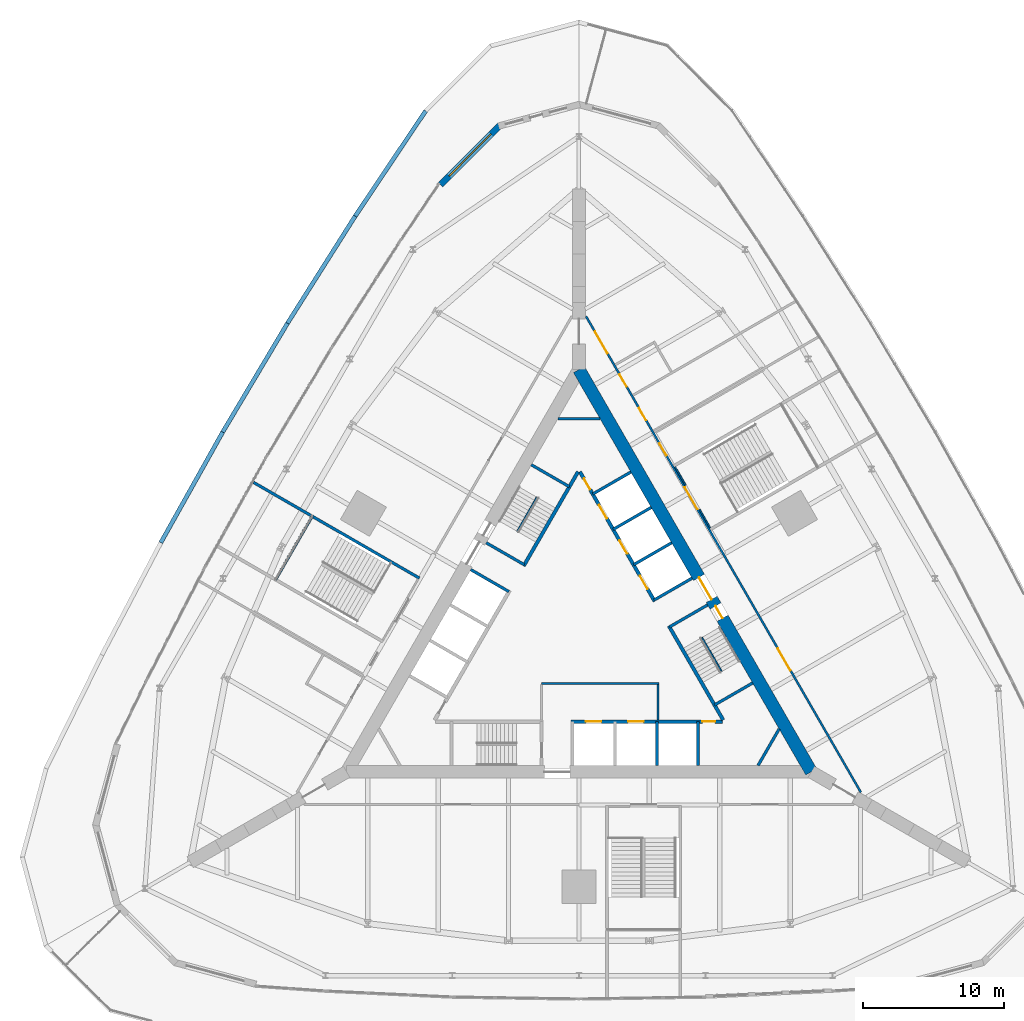
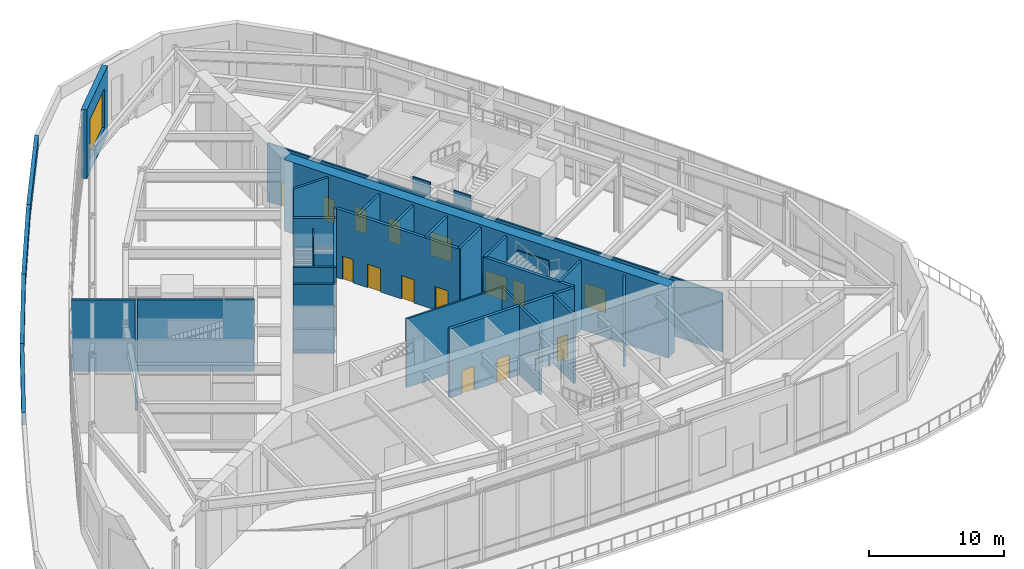
# One storey, part 13 of 19: 32 walls, 15 doors, 1 window, 16 openings.
"""IFC4 building model written with IfcOpenShell, lengths in metres."""

from ifc_helpers import new_model, si_unit, direction, frame, frame_2d, origin, place, context, subcontext, project, spatial, rectangle, extrude, material, layer, layer_set, type_object, element, fill, save


model = new_model("IFC4")

# Units and contexts
model_context = context("Model", 3, precision=1e-05, world=origin(), true_north=direction((0.0, 1.0)))
body_context = subcontext(model_context, "Body", "Model", "MODEL_VIEW")
ifc_project = project(units=[si_unit("LENGTHUNIT", "METRE"), si_unit("AREAUNIT", "SQUARE_METRE"), si_unit("VOLUMEUNIT", "CUBIC_METRE"), si_unit("PLANEANGLEUNIT", "RADIAN"), si_unit("MASSUNIT", "GRAM", prefix="KILO")], contexts=[model_context])

# Site, building, storey
site_placement = place(None, origin())
site = spatial("IfcSite", under=ifc_project, at=site_placement, CompositionType="ELEMENT")
building_placement = place(site_placement, origin())
building = spatial("IfcBuilding", under=site, at=building_placement, Name="Trikona Tower", CompositionType="ELEMENT")
storey_placement = place(building_placement, frame((0.0, 0.0, 11.0)))
storey = spatial("IfcBuildingStorey", under=building, at=storey_placement, Name="L02", CompositionType="ELEMENT", Elevation=11.0)

# Wall, opening, window
ifc_material_1 = material(Name="Brick-faced precast concrete", Category="masonry")
ifc_layer_1 = layer(ifc_material_1, 0.449951171875)
ifc_layer_set_1 = layer_set([ifc_layer_1], Name="Brick-faced corner wall 450")
wall_type_1 = type_object("IfcWallType", Name="Brick-faced corner wall 450", PredefinedType="SOLIDWALL", material=ifc_layer_set_1)
wall_1_placement = place(storey_placement, frame((-5.614501953125, 36.39892578125, 0.0), z_axis=(0.0, 0.0, 1.0), x_axis=(-0.707106781187, -0.707106781187, 0.0)))
wall_1 = element("IfcWall", 1, at=wall_1_placement, inside=storey, type_object=wall_type_1, Name="External wall L02-19", PredefinedType="SOLIDWALL", context=body_context, shape_type="SweptSolid", body=[
    extrude(rectangle(XDim=5.976806640625, YDim=0.449951171875, at=frame_2d((2.98828125, 0.0))), origin(), (0.0, 0.0, 1.0), 6.25),
])
opening_1_placement = place(wall_1_placement, frame((0.888671875, 0.0, 1.199951171875)))
opening_1 = element("IfcOpeningElement", 2, at=opening_1_placement, cuts=wall_1, Name="Opening W4236", PredefinedType="OPENING", context=body_context, shape_type="SweptSolid", body=[
    extrude(rectangle(XDim=4.199951171875, YDim=3.60009765625, at=frame_2d((2.10009765625, 1.800048828125))), frame((0.0, 0.23486328125, 0.0), z_axis=(0.0, -1.0, 0.0), x_axis=(1.0, 0.0, 0.0)), (0.0, 0.0, 1.0), 0.469970703125),
])
ifc_material_2 = material(Name="Aluminium-framed double glazing", Category="aluminium")
window_type = type_object("IfcWindowType", Name="Window 4200x3600", PartitioningType="SINGLE_PANEL", PredefinedType="WINDOW", material=ifc_material_2)
window_placement = place(opening_1_placement, origin())
window = element("IfcWindow", 3, at=window_placement, inside=storey, type_object=window_type, Name="Window L02-BOH", OverallHeight=3.60009765625, OverallWidth=4.199951171875, PartitioningType="SINGLE_PANEL", PredefinedType="WINDOW", context=body_context, shape_type="SweptSolid", body=[
    extrude(rectangle(XDim=4.199951171875, YDim=3.60009765625, at=frame_2d((2.10009765625, 1.800048828125))), frame((0.0, 0.030029296875, 0.0), z_axis=(0.0, -1.0, 0.0), x_axis=(1.0, 0.0, 0.0)), (0.0, 0.0, 1.0), 0.06005859375),
])
fill(opening_1, window)

# Wall, openings, doors
ifc_material_3 = material(Name="Concrete f'c 10000 psi", Category="concrete")
ifc_layer_2 = layer(ifc_material_3, 0.89990234375)
ifc_layer_set_2 = layer_set([ifc_layer_2], Name="Core wall 900")
wall_type_2 = type_object("IfcWallType", Name="Core wall 900", PredefinedType="SHEAR", material=ifc_layer_set_2)
wall_2_placement = place(storey_placement, frame((16.5, -9.5263671875, 0.0), z_axis=(0.0, 0.0, 1.0), x_axis=(-0.499999749417, 0.866025548458, 0.0)))
wall_2 = element("IfcWall", 4, at=wall_2_placement, inside=storey, type_object=wall_type_2, Name="Core wall B", PredefinedType="SHEAR", context=body_context, shape_type="SweptSolid", body=[
    extrude(rectangle(XDim=33.0, YDim=0.89990234375, at=frame_2d((16.5, 0.0))), origin(), (0.0, 0.0, 1.0), 6.5),
])
opening_2_placement = place(wall_2_placement, frame((14.14990234375, 0.0, 0.0)))
opening_2 = element("IfcOpeningElement", 5, at=opening_2_placement, cuts=wall_2, Name="Opening D6", PredefinedType="OPENING", context=body_context, shape_type="SweptSolid", body=[
    extrude(rectangle(XDim=1.800048828125, YDim=2.1298828125, at=frame_2d((0.89990234375, 1.06494140625))), frame((0.0, 0.4599609375, 0.0), z_axis=(0.0, -1.0, 0.0), x_axis=(1.0, 0.0, 0.0)), (0.0, 0.0, 1.0), 0.919921875),
])
opening_3_placement = place(wall_2_placement, frame((12.60009765625, 0.0, 0.0)))
opening_3 = element("IfcOpeningElement", 6, at=opening_3_placement, cuts=wall_2, Name="Opening D5", PredefinedType="OPENING", context=body_context, shape_type="SweptSolid", body=[
    extrude(rectangle(XDim=1.0, YDim=2.1298828125, at=frame_2d((0.5, 1.06494140625))), frame((0.0, 0.4599609375, 0.0), z_axis=(0.0, -1.0, 0.0), x_axis=(1.0, 0.0, 0.0)), (0.0, 0.0, 1.0), 0.919921875),
])
ifc_material_4 = material(Name="Hollow metal door and frame", Category="steel")
door_type_1 = type_object("IfcDoorType", Name="Lobby door pair 1800x2130", OperationType="DOUBLE_DOOR_SINGLE_SWING", PredefinedType="DOOR", material=ifc_material_4)
door_1_placement = place(opening_2_placement, origin())
door_1 = element("IfcDoor", 7, at=door_1_placement, inside=storey, type_object=door_type_1, Name="Lift lobby door B", OperationType="DOUBLE_DOOR_SINGLE_SWING", OverallHeight=2.1298828125, OverallWidth=1.800048828125, PredefinedType="DOOR", context=body_context, shape_type="SweptSolid", body=[
    extrude(rectangle(XDim=1.800048828125, YDim=2.1298828125, at=frame_2d((0.89990234375, 1.06494140625))), frame((0.0, 0.02490234375, 0.0), z_axis=(0.0, -1.0, 0.0), x_axis=(1.0, 0.0, 0.0)), (0.0, 0.0, 1.0), 0.050048828125),
])
fill(opening_2, door_1)
ifc_material_5 = material(Name="Hollow metal door and frame", Category="steel")
door_type_2 = type_object("IfcDoorType", Name="Stair door 1000x2130", OperationType="SINGLE_SWING_LEFT", PredefinedType="DOOR", material=ifc_material_5)
door_2_placement = place(opening_3_placement, origin())
door_2 = element("IfcDoor", 8, at=door_2_placement, inside=storey, type_object=door_type_2, Name="Stair B door", OperationType="SINGLE_SWING_RIGHT", OverallHeight=2.1298828125, OverallWidth=1.0, PredefinedType="DOOR", context=body_context, shape_type="SweptSolid", body=[
    extrude(rectangle(XDim=1.0, YDim=2.1298828125, at=frame_2d((0.5, 1.06494140625))), frame((0.0, 0.02490234375, 0.0), z_axis=(0.0, -1.0, 0.0), x_axis=(1.0, 0.0, 0.0)), (0.0, 0.0, 1.0), 0.050048828125),
])
fill(opening_3, door_2)

ifc_material_6 = material(Name="Metal stud and gypsum board, 1-hour", Category="gypsum")
ifc_layer_3 = layer(ifc_material_6, 0.14990234375)
ifc_layer_set_3 = layer_set([ifc_layer_3], Name="Corridor wall 150")
wall_type_3 = type_object("IfcWallType", Name="Corridor wall 150", PredefinedType="PARTITIONING", material=ifc_layer_set_3)
wall_3_placement = place(storey_placement, frame((20.027099609375, -10.9853515625, 0.0), z_axis=(0.0, 0.0, 1.0), x_axis=(-0.500001677587, 0.866024435227, 0.0)))
wall_3 = element("IfcWall", 9, at=wall_3_placement, inside=storey, type_object=wall_type_3, Name="Corridor wall L02-2", PredefinedType="PARTITIONING", context=body_context, shape_type="SweptSolid", body=[
    extrude(rectangle(XDim=39.053955078125, YDim=0.14990234375, at=frame_2d((19.52685546875, 0.0))), origin(), (0.0, 0.0, 1.0), 5.3076171875),
])
opening_4_placement = place(wall_3_placement, frame((10.013427734375, 0.0, 0.0)))
opening_4 = element("IfcOpeningElement", 10, at=opening_4_placement, cuts=wall_3, Name="Opening D4", PredefinedType="OPENING", context=body_context, shape_type="SweptSolid", body=[
    extrude(rectangle(XDim=1.800048828125, YDim=2.1298828125, at=frame_2d((0.89990234375, 1.06494140625))), frame((0.0, 0.0849609375, 0.0), z_axis=(0.0, -1.0, 0.0), x_axis=(1.0, 0.0, 0.0)), (0.0, 0.0, 1.0), 0.169921875),
])
opening_5_placement = place(wall_3_placement, frame((23.22705078125, 0.0, 0.0)))
opening_5 = element("IfcOpeningElement", 11, at=opening_5_placement, cuts=wall_3, Name="Opening D11", PredefinedType="OPENING", context=body_context, shape_type="SweptSolid", body=[
    extrude(rectangle(XDim=1.800048828125, YDim=2.1298828125, at=frame_2d((0.89990234375, 1.06494140625))), frame((0.0, 0.0849609375, 0.0), z_axis=(0.0, -1.0, 0.0), x_axis=(1.0, 0.0, 0.0)), (0.0, 0.0, 1.0), 0.169921875),
])
opening_6_placement = place(wall_3_placement, frame((27.626953125, 0.0, 0.0)))
opening_6 = element("IfcOpeningElement", 12, at=opening_6_placement, cuts=wall_3, Name="Opening D3", PredefinedType="OPENING", context=body_context, shape_type="SweptSolid", body=[
    extrude(rectangle(XDim=1.0, YDim=2.1298828125, at=frame_2d((0.5, 1.06494140625))), frame((0.0, 0.0849609375, 0.0), z_axis=(0.0, -1.0, 0.0), x_axis=(1.0, 0.0, 0.0)), (0.0, 0.0, 1.0), 0.169921875),
])
opening_7_placement = place(wall_3_placement, frame((30.527099609375, 0.0, 0.0)))
opening_7 = element("IfcOpeningElement", 13, at=opening_7_placement, cuts=wall_3, Name="Opening D3", PredefinedType="OPENING", context=body_context, shape_type="SweptSolid", body=[
    extrude(rectangle(XDim=1.0, YDim=2.1298828125, at=frame_2d((0.5, 1.06494140625))), frame((0.0, 0.0849609375, 0.0), z_axis=(0.0, -1.0, 0.0), x_axis=(1.0, 0.0, 0.0)), (0.0, 0.0, 1.0), 0.169921875),
])
opening_8_placement = place(wall_3_placement, frame((33.277099609375, 0.0, 0.0)))
opening_8 = element("IfcOpeningElement", 14, at=opening_8_placement, cuts=wall_3, Name="Opening D3", PredefinedType="OPENING", context=body_context, shape_type="SweptSolid", body=[
    extrude(rectangle(XDim=1.0, YDim=2.1298828125, at=frame_2d((0.5, 1.06494140625))), frame((0.0, 0.0849609375, 0.0), z_axis=(0.0, -1.0, 0.0), x_axis=(1.0, 0.0, 0.0)), (0.0, 0.0, 1.0), 0.169921875),
])
opening_9_placement = place(wall_3_placement, frame((35.990478515625, 0.0, 0.0)))
opening_9 = element("IfcOpeningElement", 15, at=opening_9_placement, cuts=wall_3, Name="Opening D4", PredefinedType="OPENING", context=body_context, shape_type="SweptSolid", body=[
    extrude(rectangle(XDim=1.800048828125, YDim=2.1298828125, at=frame_2d((0.89990234375, 1.06494140625))), frame((0.0, 0.0849609375, 0.0), z_axis=(0.0, -1.0, 0.0), x_axis=(1.0, 0.0, 0.0)), (0.0, 0.0, 1.0), 0.169921875),
])
ifc_material_7 = material(Name="Steel door frame with solid-core timber leaf", Category="steel")
door_type_3 = type_object("IfcDoorType", Name="Assembly door pair 1800x2130", OperationType="DOUBLE_DOOR_SINGLE_SWING", PredefinedType="DOOR", material=ifc_material_7)
door_3_placement = place(opening_4_placement, origin())
door_3 = element("IfcDoor", 16, at=door_3_placement, inside=storey, type_object=door_type_3, Name="Door Prefunction foyer east", OperationType="DOUBLE_DOOR_SINGLE_SWING", OverallHeight=2.1298828125, OverallWidth=1.800048828125, PredefinedType="DOOR", context=body_context, shape_type="SweptSolid", body=[
    extrude(rectangle(XDim=1.800048828125, YDim=2.1298828125, at=frame_2d((0.89990234375, 1.06494140625))), frame((0.0, 0.02490234375, 0.0), z_axis=(0.0, -1.0, 0.0), x_axis=(1.0, 0.0, 0.0)), (0.0, 0.0, 1.0), 0.050048828125),
])
fill(opening_4, door_3)
door_4_placement = place(opening_9_placement, origin())
door_4 = element("IfcDoor", 17, at=door_4_placement, inside=storey, type_object=door_type_3, Name="Door Banquet kitchen", OperationType="DOUBLE_DOOR_SINGLE_SWING", OverallHeight=2.1298828125, OverallWidth=1.800048828125, PredefinedType="DOOR", context=body_context, shape_type="SweptSolid", body=[
    extrude(rectangle(XDim=1.800048828125, YDim=2.1298828125, at=frame_2d((0.89990234375, 1.06494140625))), frame((0.0, 0.02490234375, 0.0), z_axis=(0.0, -1.0, 0.0), x_axis=(1.0, 0.0, 0.0)), (0.0, 0.0, 1.0), 0.050048828125),
])
fill(opening_9, door_4)
ifc_material_8 = material(Name="Hollow metal door and frame", Category="steel")
door_type_4 = type_object("IfcDoorType", Name="Podium stair door 1800x2130", OperationType="DOUBLE_DOOR_SINGLE_SWING", PredefinedType="DOOR", material=ifc_material_8)
door_5_placement = place(opening_5_placement, origin())
door_5 = element("IfcDoor", 18, at=door_5_placement, inside=storey, type_object=door_type_4, Name="Stair door Podium stair PS2", OperationType="DOUBLE_DOOR_SINGLE_SWING", OverallHeight=2.1298828125, OverallWidth=1.800048828125, PredefinedType="DOOR", context=body_context, shape_type="SweptSolid", body=[
    extrude(rectangle(XDim=1.800048828125, YDim=2.1298828125, at=frame_2d((0.89990234375, 1.06494140625))), frame((0.0, 0.02490234375, 0.0), z_axis=(0.0, -1.0, 0.0), x_axis=(1.0, 0.0, 0.0)), (0.0, 0.0, 1.0), 0.050048828125),
])
fill(opening_5, door_5)
ifc_material_9 = material(Name="Steel door frame with solid-core timber leaf", Category="steel")
door_type_5 = type_object("IfcDoorType", Name="Room door 1000x2130", OperationType="SINGLE_SWING_LEFT", PredefinedType="DOOR", material=ifc_material_9)
door_6_placement = place(opening_6_placement, origin())
door_6 = element("IfcDoor", 19, at=door_6_placement, inside=storey, type_object=door_type_5, Name="Door Men's toilets", OperationType="SINGLE_SWING_LEFT", OverallHeight=2.1298828125, OverallWidth=1.0, PredefinedType="DOOR", context=body_context, shape_type="SweptSolid", body=[
    extrude(rectangle(XDim=1.0, YDim=2.1298828125, at=frame_2d((0.5, 1.06494140625))), frame((0.0, 0.02490234375, 0.0), z_axis=(0.0, -1.0, 0.0), x_axis=(1.0, 0.0, 0.0)), (0.0, 0.0, 1.0), 0.050048828125),
])
fill(opening_6, door_6)
door_7_placement = place(opening_7_placement, origin())
door_7 = element("IfcDoor", 20, at=door_7_placement, inside=storey, type_object=door_type_5, Name="Door Women's toilets", OperationType="SINGLE_SWING_RIGHT", OverallHeight=2.1298828125, OverallWidth=1.0, PredefinedType="DOOR", context=body_context, shape_type="SweptSolid", body=[
    extrude(rectangle(XDim=1.0, YDim=2.1298828125, at=frame_2d((0.5, 1.06494140625))), frame((0.0, 0.02490234375, 0.0), z_axis=(0.0, -1.0, 0.0), x_axis=(1.0, 0.0, 0.0)), (0.0, 0.0, 1.0), 0.050048828125),
])
fill(opening_7, door_7)
door_8_placement = place(opening_8_placement, origin())
door_8 = element("IfcDoor", 21, at=door_8_placement, inside=storey, type_object=door_type_5, Name="Door Accessible WC", OperationType="SINGLE_SWING_LEFT", OverallHeight=2.1298828125, OverallWidth=1.0, PredefinedType="DOOR", context=body_context, shape_type="SweptSolid", body=[
    extrude(rectangle(XDim=1.0, YDim=2.1298828125, at=frame_2d((0.5, 1.06494140625))), frame((0.0, 0.02490234375, 0.0), z_axis=(0.0, -1.0, 0.0), x_axis=(1.0, 0.0, 0.0)), (0.0, 0.0, 1.0), 0.050048828125),
])
fill(opening_8, door_8)

ifc_material_10 = material(Name="Concrete f'c 8000 psi", Category="concrete")
ifc_layer_4 = layer(ifc_material_10, 0.25)
ifc_layer_set_4 = layer_set([ifc_layer_4], Name="Hub wall 250")
wall_type_4 = type_object("IfcWallType", Name="Hub wall 250", PredefinedType="SOLIDWALL", material=ifc_layer_set_4)
wall_4_placement = place(storey_placement, frame((-0.550048828125, -5.951416015625, 0.0), z_axis=(0.0, 0.0, 1.0), x_axis=(1.0, 0.0, 0.0)))
wall_4 = element("IfcWall", 22, at=wall_4_placement, inside=storey, type_object=wall_type_4, Name="Lift lobby wall A2", PredefinedType="SOLIDWALL", context=body_context, shape_type="SweptSolid", body=[
    extrude(rectangle(XDim=10.73291015625, YDim=0.25, at=frame_2d((5.366455078125, 0.0))), origin(), (0.0, 0.0, 1.0), 6.25),
])
opening_10_placement = place(wall_4_placement, frame((9.31396484375, 0.0, 0.0)))
opening_10 = element("IfcOpeningElement", 23, at=opening_10_placement, cuts=wall_4, Name="Opening D14", PredefinedType="OPENING", context=body_context, shape_type="SweptSolid", body=[
    extrude(rectangle(XDim=0.89990234375, YDim=2.1298828125, at=frame_2d((0.449951171875, 1.06494140625))), frame((0.0, 0.135009765625, 0.0), z_axis=(0.0, -1.0, 0.0), x_axis=(1.0, 0.0, 0.0)), (0.0, 0.0, 1.0), 0.27001953125),
])
opening_11_placement = place(wall_4_placement, frame((1.050048828125, 0.0, 0.0)))
opening_11 = element("IfcOpeningElement", 24, at=opening_11_placement, cuts=wall_4, Name="Opening LD", PredefinedType="OPENING", context=body_context, shape_type="SweptSolid", body=[
    extrude(rectangle(XDim=1.10009765625, YDim=2.1298828125, at=frame_2d((0.550048828125, 1.06494140625))), frame((0.0, 0.135009765625, 0.0), z_axis=(0.0, -1.0, 0.0), x_axis=(1.0, 0.0, 0.0)), (0.0, 0.0, 1.0), 0.27001953125),
])
opening_12_placement = place(wall_4_placement, frame((4.050048828125, 0.0, 0.0)))
opening_12 = element("IfcOpeningElement", 25, at=opening_12_placement, cuts=wall_4, Name="Opening LD", PredefinedType="OPENING", context=body_context, shape_type="SweptSolid", body=[
    extrude(rectangle(XDim=1.10009765625, YDim=2.1298828125, at=frame_2d((0.550048828125, 1.06494140625))), frame((0.0, 0.135009765625, 0.0), z_axis=(0.0, -1.0, 0.0), x_axis=(1.0, 0.0, 0.0)), (0.0, 0.0, 1.0), 0.27001953125),
])
ifc_material_11 = material(Name="Stainless steel lift landing door", Category="steel")
door_type_6 = type_object("IfcDoorType", Name="Lift landing door 1100x2130", OperationType="DOUBLE_DOOR_SLIDING", PredefinedType="USERDEFINED", material=ifc_material_11)
door_9_placement = place(opening_11_placement, origin())
door_9 = element("IfcDoor", 26, at=door_9_placement, inside=storey, type_object=door_type_6, Name="Lift landing door FF1", ObjectType="LIFT LANDING DOOR", OperationType="DOUBLE_DOOR_SLIDING", OverallHeight=2.1298828125, OverallWidth=1.10009765625, PredefinedType="USERDEFINED", context=body_context, shape_type="SweptSolid", body=[
    extrude(rectangle(XDim=1.10009765625, YDim=2.1298828125, at=frame_2d((0.550048828125, 1.06494140625))), frame((0.0, 0.02490234375, 0.0), z_axis=(0.0, -1.0, 0.0), x_axis=(1.0, 0.0, 0.0)), (0.0, 0.0, 1.0), 0.050048828125),
])
fill(opening_11, door_9)
door_10_placement = place(opening_12_placement, origin())
door_10 = element("IfcDoor", 27, at=door_10_placement, inside=storey, type_object=door_type_6, Name="Lift landing door FF2", ObjectType="LIFT LANDING DOOR", OperationType="DOUBLE_DOOR_SLIDING", OverallHeight=2.1298828125, OverallWidth=1.10009765625, PredefinedType="USERDEFINED", context=body_context, shape_type="SweptSolid", body=[
    extrude(rectangle(XDim=1.10009765625, YDim=2.1298828125, at=frame_2d((0.550048828125, 1.06494140625))), frame((0.0, 0.02490234375, 0.0), z_axis=(0.0, -1.0, 0.0), x_axis=(1.0, 0.0, 0.0)), (0.0, 0.0, 1.0), 0.050048828125),
])
fill(opening_12, door_10)
ifc_material_12 = material(Name="Hollow metal door and frame", Category="steel")
door_type_7 = type_object("IfcDoorType", Name="Service room door 900x2130", OperationType="SINGLE_SWING_LEFT", PredefinedType="DOOR", material=ifc_material_12)
door_11_placement = place(opening_10_placement, origin())
door_11 = element("IfcDoor", 28, at=door_11_placement, inside=storey, type_object=door_type_7, Name="Door Store STR", OperationType="SINGLE_SWING_RIGHT", OverallHeight=2.1298828125, OverallWidth=0.89990234375, PredefinedType="DOOR", context=body_context, shape_type="SweptSolid", body=[
    extrude(rectangle(XDim=0.89990234375, YDim=2.1298828125, at=frame_2d((0.449951171875, 1.06494140625))), frame((0.0, 0.02490234375, 0.0), z_axis=(0.0, -1.0, 0.0), x_axis=(1.0, 0.0, 0.0)), (0.0, 0.0, 1.0), 0.050048828125),
])
fill(opening_10, door_11)

# Wall
wall_5_placement = place(storey_placement, frame((10.245361328125, -5.843017578125, 0.0), z_axis=(0.0, 0.0, 1.0), x_axis=(-0.499993009313, 0.866029439822, 0.0)))
element("IfcWall", 29, at=wall_5_placement, inside=storey, type_object=wall_type_4, Name="Lift lobby wall B1", PredefinedType="SOLIDWALL", context=body_context, shape_type="SweptSolid", body=[
    extrude(rectangle(XDim=7.73291015625, YDim=0.25, at=frame_2d((3.866455078125, 0.0))), origin(), (0.0, 0.0, 1.0), 6.25),
])

# Wall, openings, doors
wall_6_placement = place(storey_placement, frame((5.37890625, 2.5859375, 0.0), z_axis=(0.0, 0.0, 1.0), x_axis=(-0.500001375892, 0.866024609411, 0.0)))
wall_6 = element("IfcWall", 30, at=wall_6_placement, inside=storey, type_object=wall_type_4, Name="Lift lobby wall B2", PredefinedType="SOLIDWALL", context=body_context, shape_type="SweptSolid", body=[
    extrude(rectangle(XDim=10.6328125, YDim=0.25, at=frame_2d((5.31640625, 0.0))), origin(), (0.0, 0.0, 1.0), 6.25),
])
opening_13_placement = place(wall_6_placement, frame((9.1640625, 0.0, 0.0)))
opening_13 = element("IfcOpeningElement", 31, at=opening_13_placement, cuts=wall_6, Name="Opening D14", PredefinedType="OPENING", context=body_context, shape_type="SweptSolid", body=[
    extrude(rectangle(XDim=0.89990234375, YDim=2.1298828125, at=frame_2d((0.449951171875, 1.06494140625))), frame((0.0, 0.135009765625, 0.0), z_axis=(0.0, -1.0, 0.0), x_axis=(1.0, 0.0, 0.0)), (0.0, 0.0, 1.0), 0.27001953125),
])
opening_14_placement = place(wall_6_placement, frame((1.0, 0.0, 0.0)))
opening_14 = element("IfcOpeningElement", 32, at=opening_14_placement, cuts=wall_6, Name="Opening LD", PredefinedType="OPENING", context=body_context, shape_type="SweptSolid", body=[
    extrude(rectangle(XDim=1.10009765625, YDim=2.1298828125, at=frame_2d((0.550048828125, 1.06494140625))), frame((0.0, 0.135009765625, 0.0), z_axis=(0.0, -1.0, 0.0), x_axis=(1.0, 0.0, 0.0)), (0.0, 0.0, 1.0), 0.27001953125),
])
opening_15_placement = place(wall_6_placement, frame((3.89990234375, 0.0, 0.0)))
opening_15 = element("IfcOpeningElement", 33, at=opening_15_placement, cuts=wall_6, Name="Opening LD", PredefinedType="OPENING", context=body_context, shape_type="SweptSolid", body=[
    extrude(rectangle(XDim=1.10009765625, YDim=2.1298828125, at=frame_2d((0.550048828125, 1.06494140625))), frame((0.0, 0.135009765625, 0.0), z_axis=(0.0, -1.0, 0.0), x_axis=(1.0, 0.0, 0.0)), (0.0, 0.0, 1.0), 0.27001953125),
])
opening_16_placement = place(wall_6_placement, frame((6.800048828125, 0.0, 0.0)))
opening_16 = element("IfcOpeningElement", 34, at=opening_16_placement, cuts=wall_6, Name="Opening LD", PredefinedType="OPENING", context=body_context, shape_type="SweptSolid", body=[
    extrude(rectangle(XDim=1.10009765625, YDim=2.1298828125, at=frame_2d((0.550048828125, 1.06494140625))), frame((0.0, 0.135009765625, 0.0), z_axis=(0.0, -1.0, 0.0), x_axis=(1.0, 0.0, 0.0)), (0.0, 0.0, 1.0), 0.27001953125),
])
door_12_placement = place(opening_14_placement, origin())
door_12 = element("IfcDoor", 35, at=door_12_placement, inside=storey, type_object=door_type_6, Name="Lift landing door L1-1", ObjectType="LIFT LANDING DOOR", OperationType="DOUBLE_DOOR_SLIDING", OverallHeight=2.1298828125, OverallWidth=1.10009765625, PredefinedType="USERDEFINED", context=body_context, shape_type="SweptSolid", body=[
    extrude(rectangle(XDim=1.10009765625, YDim=2.1298828125, at=frame_2d((0.550048828125, 1.06494140625))), frame((0.0, 0.02490234375, 0.0), z_axis=(0.0, -1.0, 0.0), x_axis=(1.0, 0.0, 0.0)), (0.0, 0.0, 1.0), 0.050048828125),
])
fill(opening_14, door_12)
door_13_placement = place(opening_15_placement, origin())
door_13 = element("IfcDoor", 36, at=door_13_placement, inside=storey, type_object=door_type_6, Name="Lift landing door L1-2", ObjectType="LIFT LANDING DOOR", OperationType="DOUBLE_DOOR_SLIDING", OverallHeight=2.1298828125, OverallWidth=1.10009765625, PredefinedType="USERDEFINED", context=body_context, shape_type="SweptSolid", body=[
    extrude(rectangle(XDim=1.10009765625, YDim=2.1298828125, at=frame_2d((0.550048828125, 1.06494140625))), frame((0.0, 0.02490234375, 0.0), z_axis=(0.0, -1.0, 0.0), x_axis=(1.0, 0.0, 0.0)), (0.0, 0.0, 1.0), 0.050048828125),
])
fill(opening_15, door_13)
door_14_placement = place(opening_16_placement, origin())
door_14 = element("IfcDoor", 37, at=door_14_placement, inside=storey, type_object=door_type_6, Name="Lift landing door L1-3", ObjectType="LIFT LANDING DOOR", OperationType="DOUBLE_DOOR_SLIDING", OverallHeight=2.1298828125, OverallWidth=1.10009765625, PredefinedType="USERDEFINED", context=body_context, shape_type="SweptSolid", body=[
    extrude(rectangle(XDim=1.10009765625, YDim=2.1298828125, at=frame_2d((0.550048828125, 1.06494140625))), frame((0.0, 0.02490234375, 0.0), z_axis=(0.0, -1.0, 0.0), x_axis=(1.0, 0.0, 0.0)), (0.0, 0.0, 1.0), 0.050048828125),
])
fill(opening_16, door_14)
door_15_placement = place(opening_13_placement, origin())
door_15 = element("IfcDoor", 38, at=door_15_placement, inside=storey, type_object=door_type_7, Name="Door Cleaner's store CLN", OperationType="SINGLE_SWING_RIGHT", OverallHeight=2.1298828125, OverallWidth=0.89990234375, PredefinedType="DOOR", context=body_context, shape_type="SweptSolid", body=[
    extrude(rectangle(XDim=0.89990234375, YDim=2.1298828125, at=frame_2d((0.449951171875, 1.06494140625))), frame((0.0, 0.02490234375, 0.0), z_axis=(0.0, -1.0, 0.0), x_axis=(1.0, 0.0, 0.0)), (0.0, 0.0, 1.0), 0.050048828125),
])
fill(opening_13, door_15)

# Walls
wall_7_placement = place(storey_placement, frame((-0.0625, 11.794189453125, 0.0), z_axis=(0.0, 0.0, 1.0), x_axis=(-0.500006680225, -0.86602154692, 0.0)))
element("IfcWall", 39, at=wall_7_placement, inside=storey, type_object=wall_type_4, Name="Lift lobby wall C1", PredefinedType="SOLIDWALL", context=body_context, shape_type="SweptSolid", body=[
    extrude(rectangle(XDim=7.73291015625, YDim=0.25, at=frame_2d((3.866455078125, 0.0))), origin(), (0.0, 0.0, 1.0), 6.25),
])
ifc_material_13 = material(Name="Metal stud and gypsum board, 2-hour shaft wall", Category="gypsum")
ifc_layer_5 = layer(ifc_material_13, 0.14990234375)
ifc_layer_set_5 = layer_set([ifc_layer_5], Name="Lobby wall 150")
wall_type_5 = type_object("IfcWallType", Name="Lobby wall 150", PredefinedType="PARTITIONING", material=ifc_layer_set_5)
wall_8_placement = place(storey_placement, frame((-2.64990234375, -3.251220703125, 0.0), z_axis=(0.0, 0.0, 1.0), x_axis=(1.0, 0.0, 0.0)))
element("IfcWall", 40, at=wall_8_placement, inside=storey, type_object=wall_type_5, Name="Fire service lift lobby wall 1", PredefinedType="PARTITIONING", context=body_context, shape_type="SweptSolid", body=[
    extrude(rectangle(XDim=8.349853515625, YDim=0.14990234375, at=frame_2d((4.1748046875, 0.0))), origin(), (0.0, 0.0, 1.0), 6.25),
])
wall_9_placement = place(storey_placement, frame((5.625, -5.826416015625, 0.0), z_axis=(0.0, 0.0, 1.0), x_axis=(0.0, 1.0, 0.0)))
element("IfcWall", 41, at=wall_9_placement, inside=storey, type_object=wall_type_5, Name="Fire service lift lobby wall 3", PredefinedType="PARTITIONING", context=body_context, shape_type="SweptSolid", body=[
    extrude(rectangle(XDim=2.5, YDim=0.14990234375, at=frame_2d((1.25, 0.0))), origin(), (0.0, 0.0, 1.0), 6.25),
])
ifc_material_14 = material(Name="Brick-faced precast concrete", Category="masonry")
ifc_layer_6 = layer(ifc_material_14, 0.300048828125)
ifc_layer_set_6 = layer_set([ifc_layer_6], Name="Parapet wall 300")
wall_type_6 = type_object("IfcWallType", Name="Parapet wall 300", PredefinedType="PARAPET", material=ifc_layer_set_6)
for number, where, z_axis, x_axis, name in (
    (42, (-29.699462890625, 6.759521484375, 0.0), (0.0, 0.0, 1.0), (0.488409994099, 0.872614277711, 0.0), "Green roof parapet L02-1-05"),
    (43, (-25.305419921875, 14.610107421875, 0.0), (0.0, 0.0, 1.0), (0.511499603283, 0.859283513075, 0.0), "Green roof parapet L02-1-06"),
):
    element("IfcWall", number, at=place(storey_placement, frame(where, z_axis=z_axis, x_axis=x_axis)), inside=storey, type_object=wall_type_6, Name=name, PredefinedType="PARAPET", context=body_context, shape_type="SweptSolid", body=[
        extrude(rectangle(XDim=8.99658203125, YDim=0.300048828125, at=frame_2d((4.498291015625, 0.0))), origin(), (0.0, 0.0, 1.0), 1.10009765625),
    ])
wall_10_placement = place(storey_placement, frame((-20.70361328125, 22.3408203125, 0.0), z_axis=(0.0, 0.0, 1.0), x_axis=(0.534228645419, 0.845340022958, 0.0)))
element("IfcWall", 44, at=wall_10_placement, inside=storey, type_object=wall_type_6, Name="Green roof parapet L02-1-07", PredefinedType="PARAPET", context=body_context, shape_type="SweptSolid", body=[
    extrude(rectangle(XDim=9.003173828125, YDim=0.300048828125, at=frame_2d((4.50146484375, 0.0))), origin(), (0.0, 0.0, 1.0), 1.10009765625),
])
wall_11_placement = place(storey_placement, frame((-15.893798828125, 29.95166015625, 0.0), z_axis=(0.0, 0.0, 1.0), x_axis=(0.556488614261, 0.830855235404, 0.0)))
element("IfcWall", 45, at=wall_11_placement, inside=storey, type_object=wall_type_6, Name="Green roof parapet L02-1-08", PredefinedType="PARAPET", context=body_context, shape_type="SweptSolid", body=[
    extrude(rectangle(XDim=9.00341796875, YDim=0.300048828125, at=frame_2d((4.501708984375, 0.0))), origin(), (0.0, 0.0, 1.0), 1.10009765625),
])
ifc_material_15 = material(Name="Concrete f'c 8000 psi", Category="concrete")
ifc_layer_7 = layer(ifc_material_15, 0.199951171875)
ifc_layer_set_7 = layer_set([ifc_layer_7], Name="Shaft wall 200")
wall_type_7 = type_object("IfcWallType", Name="Shaft wall 200", PredefinedType="SOLIDWALL", material=ifc_layer_set_7)
for number, where, z_axis, x_axis, name in (
    (46, (5.550048828125, -5.951416015625, 0.0), (0.0, 0.0, 1.0), (0.0, -1.0, 0.0), "Shaft wall A5"),
    (47, (8.449951171875, -5.951416015625, 0.0), (0.0, 0.0, 1.0), (0.0, -1.0, 0.0), "Shaft wall A6"),
    (48, (5.3291015625, 2.672607421875, 0.0), (0.0, 0.0, 1.0), (0.866022959057, 0.500004234368, 0.0), "Shaft wall B3"),
    (49, (3.87890625, 5.18408203125, 0.0), (0.0, 0.0, 1.0), (0.866022959057, 0.500004234368, 0.0), "Shaft wall B4"),
    (50, (2.428955078125, 7.695556640625, 0.0), (0.0, 0.0, 1.0), (0.866022959057, 0.500004234368, 0.0), "Shaft wall B5"),
    (51, (0.97900390625, 10.20703125, 0.0), (0.0, 0.0, 1.0), (0.866022959057, 0.500004234368, 0.0), "Shaft wall B6"),
    (52, (-4.97900390625, 3.27880859375, 0.0), (0.0, 0.0, 1.0), (-0.866022959057, 0.500004234368, 0.0), "Shaft wall C3"),
):
    element("IfcWall", number, at=place(storey_placement, frame(where, z_axis=z_axis, x_axis=x_axis)), inside=storey, type_object=wall_type_7, Name=name, PredefinedType="SOLIDWALL", context=body_context, shape_type="SweptSolid", body=[
        extrude(rectangle(XDim=3.125, YDim=0.199951171875, at=frame_2d((1.5625, 0.0))), origin(), (0.0, 0.0, 1.0), 6.25),
    ])
wall_12_placement = place(storey_placement, frame((14.219482421875, -6.476318359375, 0.0), z_axis=(0.0, 0.0, 1.0), x_axis=(-0.499952404951, -0.866052881055, 0.0)))
element("IfcWall", 53, at=wall_12_placement, inside=storey, type_object=wall_type_7, Name="Riser wall L02-RS1", PredefinedType="SOLIDWALL", context=body_context, shape_type="SweptSolid", body=[
    extrude(rectangle(XDim=3.002197265625, YDim=0.199951171875, at=frame_2d((1.5009765625, 0.0))), origin(), (0.0, 0.0, 1.0), 6.25),
])
wall_13_placement = place(storey_placement, frame((-1.501220703125, 15.552490234375, 0.0), z_axis=(0.0, 0.0, 1.0), x_axis=(1.0, 0.0, 0.0)))
element("IfcWall", 54, at=wall_13_placement, inside=storey, type_object=wall_type_7, Name="Riser wall L02-RS2", PredefinedType="SOLIDWALL", context=body_context, shape_type="SweptSolid", body=[
    extrude(rectangle(XDim=3.00244140625, YDim=0.199951171875, at=frame_2d((1.501220703125, 0.0))), origin(), (0.0, 0.0, 1.0), 6.25),
])
ifc_material_16 = material(Name="Concrete f'c 8000 psi", Category="concrete")
ifc_layer_8 = layer(ifc_material_16, 0.199951171875)
ifc_layer_set_8 = layer_set([ifc_layer_8], Name="Shaft wall 200 load-bearing")
wall_type_8 = type_object("IfcWallType", Name="Shaft wall 200 load-bearing", PredefinedType="SOLIDWALL", material=ifc_layer_set_8)
for number, where, z_axis, x_axis, name in (
    (55, (9.62890625, -4.775390625, 0.0), (0.0, 0.0, 1.0), (0.866022959057, 0.500004234368, 0.0), "Shaft wall B1"),
    (56, (6.428955078125, 0.767333984375, 0.0), (0.0, 0.0, 1.0), (0.866022959057, 0.500004234368, 0.0), "Shaft wall B2"),
    (57, (-0.678955078125, 10.7265625, 0.0), (0.0, 0.0, 1.0), (-0.866022959057, 0.500004234368, 0.0), "Shaft wall C1"),
    (58, (-3.87890625, 5.18408203125, 0.0), (0.0, 0.0, 1.0), (-0.866022959057, 0.500004234368, 0.0), "Shaft wall C2"),
):
    element("IfcWall", number, at=place(storey_placement, frame(where, z_axis=z_axis, x_axis=x_axis)), inside=storey, type_object=wall_type_8, Name=name, PredefinedType="SOLIDWALL", context=body_context, shape_type="SweptSolid", body=[
        extrude(rectangle(XDim=3.125, YDim=0.199951171875, at=frame_2d((1.5625, 0.0))), origin(), (0.0, 0.0, 1.0), 6.25),
    ])
ifc_material_17 = material(Name="Concrete f'c 6000 psi", Category="concrete")
ifc_layer_9 = layer(ifc_material_17, 0.10009765625)
ifc_layer_set_9 = layer_set([ifc_layer_9], Name="Stair enclosure wall 100")
wall_type_9 = type_object("IfcWallType", Name="Stair enclosure wall 100", PredefinedType="SOLIDWALL", material=ifc_layer_set_9)
wall_14_placement = place(storey_placement, frame((9.32177734375, 7.806884765625, 0.0), z_axis=(0.0, 0.0, 1.0), x_axis=(-0.500060622324, 0.86599040064, 0.0)))
element("IfcWall", 59, at=wall_14_placement, inside=storey, type_object=wall_type_9, Name="Podium stair PS2 end pier 1 L02", PredefinedType="SOLIDWALL", context=body_context, shape_type="SweptSolid", body=[
    extrude(rectangle(XDim=1.499755859375, YDim=0.10009765625, at=frame_2d((0.75, 0.0))), origin(), (0.0, 0.0, 1.0), 6.5),
])
wall_15_placement = place(storey_placement, frame((7.57177734375, 10.837890625, 0.0), z_axis=(0.0, 0.0, 1.0), x_axis=(-0.499990139034, 0.866031096941, 0.0)))
element("IfcWall", 60, at=wall_15_placement, inside=storey, type_object=wall_type_9, Name="Podium stair PS2 end pier 2 L02", PredefinedType="SOLIDWALL", context=body_context, shape_type="SweptSolid", body=[
    extrude(rectangle(XDim=1.5, YDim=0.10009765625, at=frame_2d((0.75, 0.0))), origin(), (0.0, 0.0, 1.0), 6.5),
])
ifc_material_18 = material(Name="Concrete f'c 6000 psi", Category="concrete")
ifc_layer_10 = layer(ifc_material_18, 0.199951171875)
ifc_layer_set_10 = layer_set([ifc_layer_10], Name="Stair enclosure wall 200")
wall_type_10 = type_object("IfcWallType", Name="Stair enclosure wall 200", PredefinedType="SHEAR", material=ifc_layer_set_10)
wall_16_placement = place(storey_placement, frame((-11.32861328125, 4.231201171875, 0.0), z_axis=(0.0, 0.0, 1.0), x_axis=(-0.866029620801, 0.499992695841, 0.0)))
element("IfcWall", 61, at=wall_16_placement, inside=storey, type_object=wall_type_10, Name="Stair enclosure L02 F3 u2", PredefinedType="SHEAR", context=body_context, shape_type="SweptSolid", body=[
    extrude(rectangle(XDim=13.607177734375, YDim=0.199951171875, at=frame_2d((6.8037109375, 0.0))), origin(), (0.0, 0.0, 1.0), 6.5),
])
wall_17_placement = place(storey_placement, frame((-18.949462890625, 8.631103515625, 0.0), z_axis=(0.0, 0.0, 1.0), x_axis=(-0.500006934395, -0.866021400173, 0.0)))
element("IfcWall", 62, at=wall_17_placement, inside=storey, type_object=wall_type_10, Name="Podium stair PS3 end wall", PredefinedType="SHEAR", context=body_context, shape_type="SweptSolid", body=[
    extrude(rectangle(XDim=5.2001953125, YDim=0.199951171875, at=frame_2d((2.60009765625, 0.0))), origin(), (0.0, 0.0, 1.0), 6.5),
])
ifc_material_19 = material(Name="Concrete f'c 5000 psi", Category="concrete")
ifc_layer_11 = layer(ifc_material_19, 0.10009765625)
ifc_layer_set_11 = layer_set([ifc_layer_11], Name="Stair spine wall 100")
wall_type_11 = type_object("IfcWallType", Name="Stair spine wall 100", PredefinedType="SOLIDWALL", material=ifc_layer_set_11)
for number, where, z_axis, x_axis, name in (
    (63, (10.134765625, -2.4013671875, 0.0), (0.0, 0.0, 1.0), (-0.499992232847, 0.866029888106, 0.0), "Stair B spine wall L02"),
    (64, (-2.98779296875, 9.9775390625, 0.0), (0.0, 0.0, 1.0), (-0.499992232847, -0.866029888106, 0.0), "Stair C spine wall L02"),
):
    element("IfcWall", number, at=place(storey_placement, frame(where, z_axis=z_axis, x_axis=x_axis)), inside=storey, type_object=wall_type_11, Name=name, PredefinedType="SOLIDWALL", context=body_context, shape_type="SweptSolid", body=[
        extrude(rectangle(XDim=2.7939453125, YDim=0.10009765625, at=frame_2d((1.39697265625, 0.0))), origin(), (0.0, 0.0, 1.0), 6.5),
    ])

save(model, "model.ifc")
